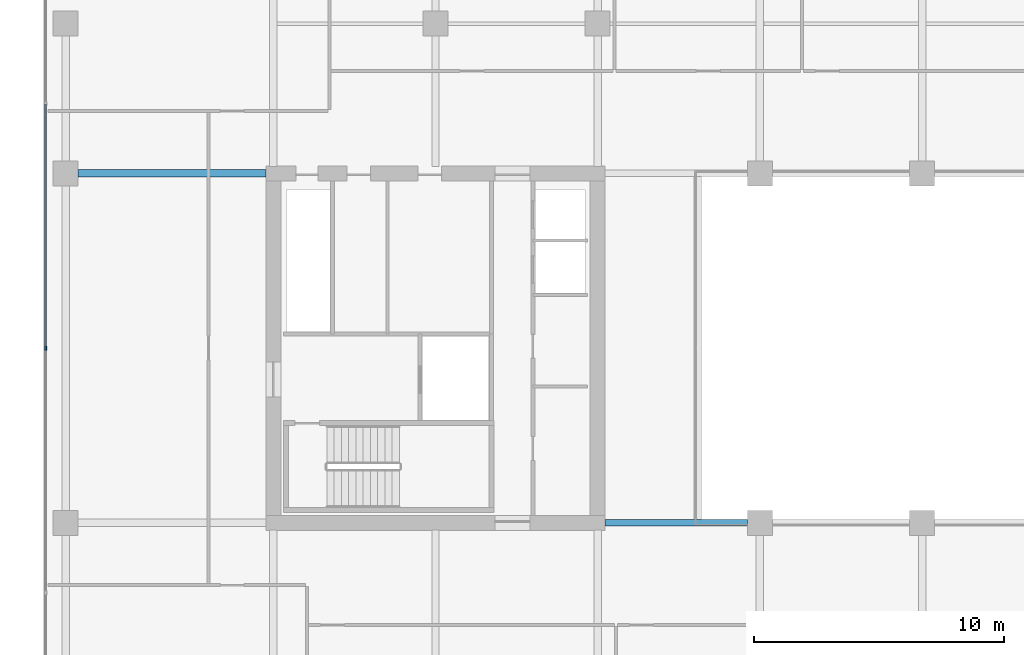
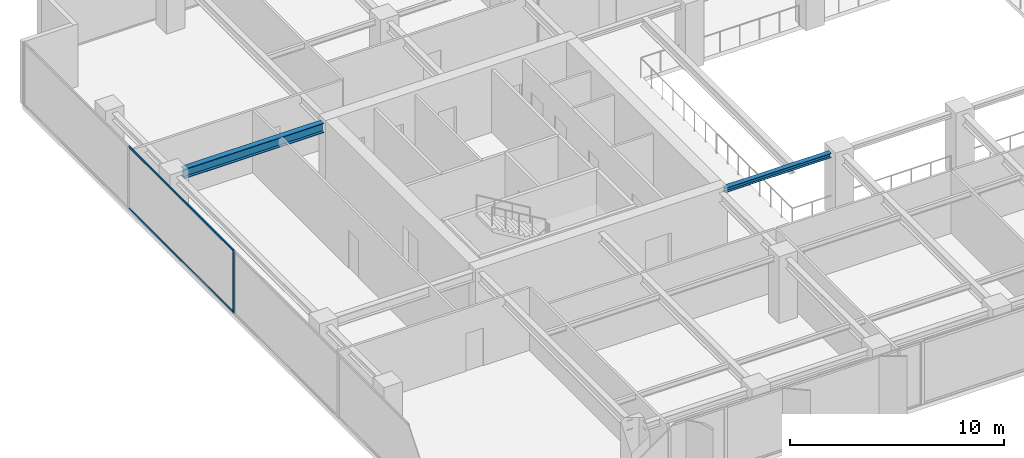
# One storey, part 4 of 22: 3 members, 2 beams, 1 element without a shape of its own.
"""IFC4 building model written with IfcOpenShell, lengths in metres."""

from ifc_helpers import new_model, si_unit, direction, frame, origin, origin_2d, place, context, subcontext, project, spatial, rectangle, i_section, extrude, material, layer, layer_set, material_profile, profile_set, type_object, element, aggregate, save


model = new_model("IFC4")

# Units and contexts
model_context = context("Model", 3, precision=1e-05, world=origin(), true_north=direction((0.0, 1.0)))
body_context = subcontext(model_context, "Body", "Model", "MODEL_VIEW")
ifc_project = project(units=[si_unit("LENGTHUNIT", "METRE"), si_unit("AREAUNIT", "SQUARE_METRE"), si_unit("VOLUMEUNIT", "CUBIC_METRE"), si_unit("PLANEANGLEUNIT", "RADIAN"), si_unit("MASSUNIT", "GRAM", prefix="KILO")], contexts=[model_context])

# Site, building, storey
site_placement = place(None, origin())
site = spatial("IfcSite", under=ifc_project, at=site_placement, CompositionType="ELEMENT")
building_placement = place(site_placement, origin())
building = spatial("IfcBuilding", under=site, at=building_placement, Name="Putna Gate Headquarters", CompositionType="ELEMENT")
storey_placement = place(building_placement, frame((0.0, 0.0, 170.800048828125)))
storey = spatial("IfcBuildingStorey", under=building, at=storey_placement, Name="L42", CompositionType="ELEMENT", Elevation=170.800048828125)

# Beams
ifc_material_1 = material(Name="Steel S355J2", Category="steel")
ifc_material_profile_1 = material_profile(ifc_material_1, i_section(OverallWidth=0.260009765625, OverallDepth=0.260009765625, WebThickness=0.010009765625, FlangeThickness=0.017578125, at=origin_2d()), Name="Steel S355J2")
ifc_profile_set_1 = profile_set([ifc_material_profile_1], Name="Steel S355J2")
beam_type_1 = type_object("IfcBeamType", Name="BM-ATRIUM-HEB260", PredefinedType="BEAM", material=ifc_profile_set_1)
beam_1_placement = place(storey_placement, frame((26.284912109375, 19.0, 3.44189453125), z_axis=(1.0, 0.0, 0.0), x_axis=(0.0, 1.0, 0.0)))
element("IfcBeam", 1, at=beam_1_placement, inside=storey, type_object=beam_type_1, Name="L42 Atrium Edge Beam AS1", PredefinedType="BEAM", context=body_context, shape_type="SweptSolid", body=[
    extrude(i_section(OverallWidth=0.260009765625, OverallDepth=0.260009765625, WebThickness=0.010009765625, FlangeThickness=0.017578125, at=origin_2d()), origin(), (0.0, 0.0, 1.0), 5.72705078125),
])
ifc_material_profile_2 = material_profile(ifc_material_1, i_section(OverallWidth=0.300048828125, OverallDepth=0.550048828125, WebThickness=0.014892578125, FlangeThickness=0.029052734375, at=origin_2d()), Name="Steel S355J2")
ifc_profile_set_2 = profile_set([ifc_material_profile_2], Name="Steel S355J2")
beam_type_2 = type_object("IfcBeamType", Name="BM-GIRD-Z3-HEB550", PredefinedType="USERDEFINED", material=ifc_profile_set_2)
beam_2_placement = place(storey_placement, frame((5.16796875, 33.0, 3.296875), z_axis=(1.0, 0.0, 0.0), x_axis=(0.0, 1.0, 0.0)))
element("IfcBeam", 2, at=beam_2_placement, inside=storey, type_object=beam_type_2, Name="L42 West Wing Girder Y33", ObjectType="GIRDER", PredefinedType="USERDEFINED", context=body_context, shape_type="SweptSolid", body=[
    extrude(i_section(OverallWidth=0.300048828125, OverallDepth=0.550048828125, WebThickness=0.014892578125, FlangeThickness=0.029052734375, at=origin_2d()), origin(), (0.0, 0.0, 1.0), 7.547119140625),
])

# Curtain wall, members
ifc_material_2 = material(Name="Anodised bronze aluminium curtain wall", Category="aluminium")
ifc_layer = layer(ifc_material_2, 0.159912109375)
ifc_layer_set = layer_set([ifc_layer], Name="Anodised bronze aluminium curtain wall")
curtain_wall_type = type_object("IfcCurtainWallType", Name="CW-SYS-Z3", PredefinedType="USERDEFINED", material=ifc_layer_set)
curtain_wall_placement = place(storey_placement, origin())
curtain_wall = element("IfcCurtainWall", 3, at=curtain_wall_placement, inside=storey, type_object=curtain_wall_type, Name="L42 West Curtain Wall", ObjectType="STICK CURTAIN WALL", PredefinedType="USERDEFINED")
ifc_material_3 = material(Name="Anodised bronze aluminium EN AW-6060", Category="aluminium")
ifc_material_profile_3 = material_profile(ifc_material_3, rectangle(XDim=0.06494140625, YDim=0.159912109375, at=origin_2d()), Name="Anodised bronze aluminium EN AW-6060")
ifc_profile_set_3 = profile_set([ifc_material_profile_3], Name="Anodised bronze aluminium EN AW-6060")
member_type_1 = type_object("IfcMemberType", Name="MULL-CWM-3", PredefinedType="MULLION", material=ifc_profile_set_3)
member_1_placement = place(storey_placement, frame((3.8798828125, 26.0, 0.0), z_axis=(0.0, 0.0, 1.0), x_axis=(-1.0, 0.0, 0.0)))
member_1 = element("IfcMember", 4, at=member_1_placement, type_object=member_type_1, Name="CWS-3 mullion 3", PredefinedType="MULLION", context=body_context, shape_type="SweptSolid", body=[
    extrude(rectangle(XDim=0.06494140625, YDim=0.159912109375, at=origin_2d()), origin(), (0.0, 0.0, 1.0), 3.572021484375),
])
ifc_material_profile_4 = material_profile(ifc_material_3, rectangle(XDim=0.06005859375, YDim=0.10009765625, at=origin_2d()), Name="Anodised bronze aluminium EN AW-6060")
ifc_profile_set_4 = profile_set([ifc_material_profile_4], Name="Anodised bronze aluminium EN AW-6060")
member_type_2 = type_object("IfcMemberType", Name="TRAN-CWT-3", PredefinedType="USERDEFINED", material=ifc_profile_set_4)
member_2_placement = place(storey_placement, frame((3.8798828125, 26.032470703125, 0.030029296875), z_axis=(0.0, 1.0, 0.0), x_axis=(-1.0, 0.0, 0.0)))
member_2 = element("IfcMember", 5, at=member_2_placement, type_object=member_type_2, Name="CWS-3 transom 3.1", ObjectType="TRANSOM", PredefinedType="USERDEFINED", context=body_context, shape_type="SweptSolid", body=[
    extrude(rectangle(XDim=0.06005859375, YDim=0.10009765625, at=origin_2d()), origin(), (0.0, 0.0, 1.0), 9.735107421875),
])
member_3_placement = place(storey_placement, frame((3.8798828125, 26.032470703125, 3.5419921875), z_axis=(0.0, 1.0, 0.0), x_axis=(-1.0, 0.0, 0.0)))
member_3 = element("IfcMember", 6, at=member_3_placement, type_object=member_type_2, Name="CWS-3 transom 3.2", ObjectType="TRANSOM", PredefinedType="USERDEFINED", context=body_context, shape_type="SweptSolid", body=[
    extrude(rectangle(XDim=0.06005859375, YDim=0.10009765625, at=origin_2d()), origin(), (0.0, 0.0, 1.0), 9.735107421875),
])
aggregate(curtain_wall, [member_1, member_2, member_3])

save(model, "model.ifc")
